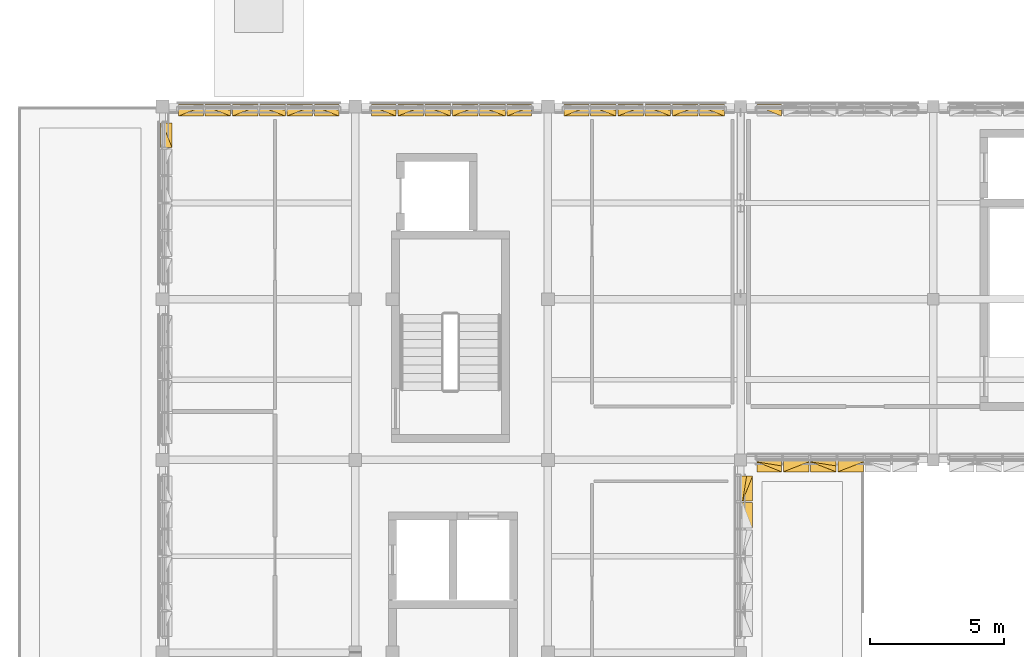
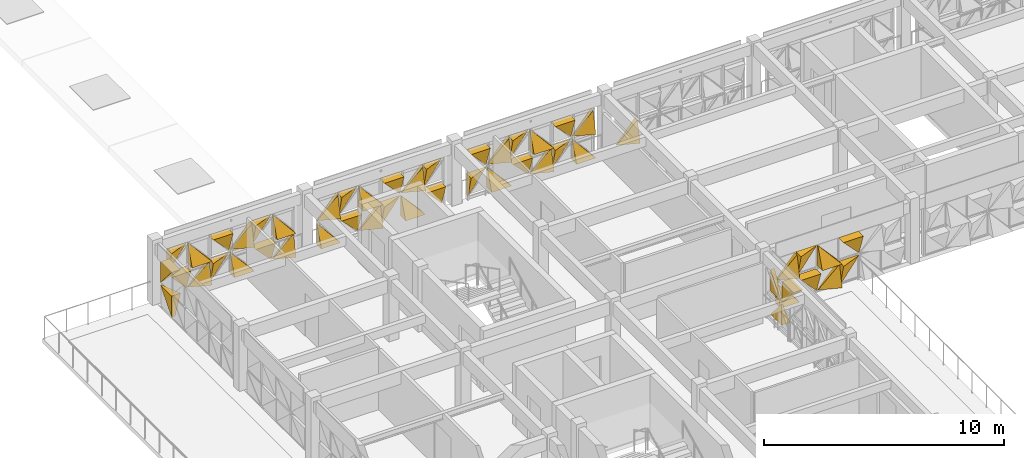
# One storey, part 33 of 35: 50 coverings.
"""IFC4 building model written with IfcOpenShell, lengths in metres."""

from ifc_helpers import new_model, si_unit, direction, frame, origin, place, context, subcontext, project, spatial, polygons, material, layer, layer_set, type_object, element, save


model = new_model("IFC4")

# Units and contexts
model_context = context("Model", 3, precision=1e-05, world=origin(), true_north=direction((0.0, 1.0)))
body_context = subcontext(model_context, "Body", "Model", "MODEL_VIEW")
ifc_project = project(units=[si_unit("LENGTHUNIT", "METRE"), si_unit("AREAUNIT", "SQUARE_METRE"), si_unit("VOLUMEUNIT", "CUBIC_METRE"), si_unit("PLANEANGLEUNIT", "RADIAN"), si_unit("MASSUNIT", "GRAM", prefix="KILO")], contexts=[model_context])

# Site, building, storey
site_placement = place(None, origin())
site = spatial("IfcSite", under=ifc_project, at=site_placement, CompositionType="ELEMENT")
building_placement = place(site_placement, origin())
building = spatial("IfcBuilding", under=site, at=building_placement, Name="Alvorim Cloister Faculty of Sciences", CompositionType="ELEMENT")
storey_placement = place(building_placement, frame((0.0, 0.0, 22.949951171875)))
storey = spatial("IfcBuildingStorey", under=building, at=storey_placement, Name="L06", CompositionType="ELEMENT", Elevation=22.949951171875)

# Coverings
ifc_material = material(Name="Perforated Bronze Alloy Sheet", Category="metal")
ifc_layer = layer(ifc_material, 0.0380859375)
ifc_layer_set = layer_set([ifc_layer], Name="Perforated Bronze Alloy Sheet")
covering_type = type_object("IfcCoveringType", Name="COV-TRI-BRZ", PredefinedType="CLADDING", material=ifc_layer_set)
covering_1_placement = place(storey_placement, frame((7.155029296875, 54.87255859375, 0.14013671875), z_axis=(0.0, 0.0, 1.0), x_axis=(0.0, 1.0, 0.0)))
element("IfcCovering", 1, at=covering_1_placement, inside=storey, type_object=covering_type, Name="Diagonal Solid Metal Triangle TRI-TL", PredefinedType="CLADDING", context=body_context, shape_type="Tessellation", body=[
    polygons([(0.920607421875, 0.0260009765625, 1.06494140625), (0.0, 0.0260009765625, 1.06494140625), (0.0, 0.0260009765625, 0.002), (0.920607421875, -0.03, 1.06494140625), (0.0, -0.4, 1.06494140625), (0.0, -0.13999999999999999, 0.002)], [[[1, 3, 2]], [[4, 5, 6]], [[1, 2, 5, 4]], [[2, 3, 6, 5]], [[3, 1, 4, 6]]], closed=True),
])
covering_2_placement = place(storey_placement, frame((7.155029296875, 54.87255859375, 1.344970703125), z_axis=(0.0, 0.0, 1.0), x_axis=(0.0, 1.0, 0.0)))
element("IfcCovering", 2, at=covering_2_placement, inside=storey, type_object=covering_type, Name="Diagonal Solid Metal Triangle TRI-TR", PredefinedType="CLADDING", context=body_context, shape_type="Tessellation", body=[
    polygons([(0.922607421875, 0.0260009765625, 0.002), (0.922607421875, 0.0260009765625, 1.065185546875), (0.002, 0.0260009765625, 1.065185546875), (0.922607421875, -0.03, 0.002), (0.922607421875, -0.4, 1.065185546875), (0.002, -0.4, 1.065185546875)], [[[1, 3, 2]], [[4, 5, 6]], [[1, 2, 5, 4]], [[2, 3, 6, 5]], [[3, 1, 4, 6]]], closed=True),
])
covering_3_placement = place(storey_placement, frame((7.804931640625, 56.445068359375, 0.14013671875), z_axis=(0.0, 0.0, 1.0), x_axis=(1.0, 0.0, 0.0)))
element("IfcCovering", 3, at=covering_3_placement, inside=storey, type_object=covering_type, Name="Diagonal Solid Metal Triangle TRI-TR", PredefinedType="CLADDING", context=body_context, shape_type="Tessellation", body=[
    polygons([(0.922607421875, 0.0260009765625, 0.002), (0.922607421875, 0.0260009765625, 1.06494140625), (0.002, 0.0260009765625, 1.06494140625), (0.922607421875, -0.03, 0.002), (0.922607421875, -0.4, 1.06494140625), (0.002, -0.4, 1.06494140625)], [[[1, 3, 2]], [[4, 5, 6]], [[1, 2, 5, 4]], [[2, 3, 6, 5]], [[3, 1, 4, 6]]], closed=True),
])
covering_4_placement = place(storey_placement, frame((7.804931640625, 56.445068359375, 1.344970703125), z_axis=(0.0, 0.0, 1.0), x_axis=(1.0, 0.0, 0.0)))
element("IfcCovering", 4, at=covering_4_placement, inside=storey, type_object=covering_type, Name="Diagonal Solid Metal Triangle TRI-TL", PredefinedType="CLADDING", context=body_context, shape_type="Tessellation", body=[
    polygons([(0.920607421875, 0.0260009765625, 1.065185546875), (0.0, 0.0260009765625, 1.065185546875), (0.0, 0.0260009765625, 0.002), (0.920607421875, -0.03, 1.065185546875), (0.0, -0.4, 1.065185546875), (0.0, -0.13999999999999999, 0.002)], [[[1, 3, 2]], [[4, 5, 6]], [[1, 2, 5, 4]], [[2, 3, 6, 5]], [[3, 1, 4, 6]]], closed=True),
])
covering_5_placement = place(storey_placement, frame((8.79248046875, 56.445068359375, 0.14013671875), z_axis=(0.0, 0.0, 1.0), x_axis=(1.0, 0.0, 0.0)))
element("IfcCovering", 5, at=covering_5_placement, inside=storey, type_object=covering_type, Name="Diagonal Solid Metal Triangle TRI-BR", PredefinedType="CLADDING", context=body_context, shape_type="Tessellation", body=[
    polygons([(0.002, 0.0260009765625, 0.0), (0.955078125, 0.0260009765625, 0.0), (0.955078125, 0.0260009765625, 1.06294140625), (0.002, -0.03, 0.0), (0.955078125, -0.4, 0.0), (0.955078125, -0.18000000000000002, 1.06294140625)], [[[1, 3, 2]], [[4, 5, 6]], [[1, 2, 5, 4]], [[2, 3, 6, 5]], [[3, 1, 4, 6]]], closed=True),
])
covering_6_placement = place(storey_placement, frame((8.79248046875, 56.445068359375, 1.344970703125), z_axis=(0.0, 0.0, 1.0), x_axis=(1.0, 0.0, 0.0)))
element("IfcCovering", 6, at=covering_6_placement, inside=storey, type_object=covering_type, Name="Diagonal Solid Metal Triangle TRI-BL", PredefinedType="CLADDING", context=body_context, shape_type="Tessellation", body=[
    polygons([(0.0, 0.0260009765625, 0.0), (0.953078125, 0.0260009765625, 0.0), (0.0, 0.0260009765625, 1.063185546875), (0.0, -0.4, 0.0), (0.953078125, -0.4, 0.0), (0.0, -0.03, 1.063185546875)], [[[1, 3, 2]], [[4, 5, 6]], [[1, 2, 5, 4]], [[2, 3, 6, 5]], [[3, 1, 4, 6]]], closed=True),
])
covering_7_placement = place(storey_placement, frame((9.8125, 56.445068359375, 0.14013671875), z_axis=(0.0, 0.0, 1.0), x_axis=(1.0, 0.0, 0.0)))
element("IfcCovering", 7, at=covering_7_placement, inside=storey, type_object=covering_type, Name="Diagonal Solid Metal Triangle TRI-TL", PredefinedType="CLADDING", context=body_context, shape_type="Tessellation", body=[
    polygons([(0.953078125, 0.0260009765625, 1.06494140625), (0.0, 0.0260009765625, 1.06494140625), (0.0, 0.0260009765625, 0.002), (0.953078125, -0.03, 1.06494140625), (0.0, -0.4, 1.06494140625), (0.0, -0.13999999999999999, 0.002)], [[[1, 3, 2]], [[4, 5, 6]], [[1, 2, 5, 4]], [[2, 3, 6, 5]], [[3, 1, 4, 6]]], closed=True),
])
covering_8_placement = place(storey_placement, frame((9.8125, 56.445068359375, 1.344970703125), z_axis=(0.0, 0.0, 1.0), x_axis=(1.0, 0.0, 0.0)))
element("IfcCovering", 8, at=covering_8_placement, inside=storey, type_object=covering_type, Name="Diagonal Solid Metal Triangle TRI-TR", PredefinedType="CLADDING", context=body_context, shape_type="Tessellation", body=[
    polygons([(0.955078125, 0.0260009765625, 0.002), (0.955078125, 0.0260009765625, 1.065185546875), (0.002, 0.0260009765625, 1.065185546875), (0.955078125, -0.03, 0.002), (0.955078125, -0.4, 1.065185546875), (0.002, -0.4, 1.065185546875)], [[[1, 3, 2]], [[4, 5, 6]], [[1, 2, 5, 4]], [[2, 3, 6, 5]], [[3, 1, 4, 6]]], closed=True),
])
covering_9_placement = place(storey_placement, frame((10.83251953125, 56.445068359375, 0.14013671875), z_axis=(0.0, 0.0, 1.0), x_axis=(1.0, 0.0, 0.0)))
element("IfcCovering", 9, at=covering_9_placement, inside=storey, type_object=covering_type, Name="Diagonal Solid Metal Triangle TRI-BL", PredefinedType="CLADDING", context=body_context, shape_type="Tessellation", body=[
    polygons([(0.0, 0.0260009765625, 0.0), (0.953078125, 0.0260009765625, 0.0), (0.0, 0.0260009765625, 1.06294140625), (0.0, -0.4, 0.0), (0.953078125, -0.4, 0.0), (0.0, -0.03, 1.06294140625)], [[[1, 3, 2]], [[4, 5, 6]], [[1, 2, 5, 4]], [[2, 3, 6, 5]], [[3, 1, 4, 6]]], closed=True),
])
covering_10_placement = place(storey_placement, frame((10.83251953125, 56.445068359375, 1.344970703125), z_axis=(0.0, 0.0, 1.0), x_axis=(1.0, 0.0, 0.0)))
element("IfcCovering", 10, at=covering_10_placement, inside=storey, type_object=covering_type, Name="Diagonal Solid Metal Triangle TRI-BR", PredefinedType="CLADDING", context=body_context, shape_type="Tessellation", body=[
    polygons([(0.002, 0.0260009765625, 0.0), (0.955078125, 0.0260009765625, 0.0), (0.955078125, 0.0260009765625, 1.063185546875), (0.002, -0.03, 0.0), (0.955078125, -0.4, 0.0), (0.955078125, -0.18000000000000002, 1.063185546875)], [[[1, 3, 2]], [[4, 5, 6]], [[1, 2, 5, 4]], [[2, 3, 6, 5]], [[3, 1, 4, 6]]], closed=True),
])
covering_11_placement = place(storey_placement, frame((11.8525390625, 56.445068359375, 0.14013671875), z_axis=(0.0, 0.0, 1.0), x_axis=(1.0, 0.0, 0.0)))
element("IfcCovering", 11, at=covering_11_placement, inside=storey, type_object=covering_type, Name="Diagonal Solid Metal Triangle TRI-TR", PredefinedType="CLADDING", context=body_context, shape_type="Tessellation", body=[
    polygons([(0.955078125, 0.0260009765625, 0.002), (0.955078125, 0.0260009765625, 1.06494140625), (0.002, 0.0260009765625, 1.06494140625), (0.955078125, -0.03, 0.002), (0.955078125, -0.4, 1.06494140625), (0.002, -0.4, 1.06494140625)], [[[1, 3, 2]], [[4, 5, 6]], [[1, 2, 5, 4]], [[2, 3, 6, 5]], [[3, 1, 4, 6]]], closed=True),
])
covering_12_placement = place(storey_placement, frame((11.8525390625, 56.445068359375, 1.344970703125), z_axis=(0.0, 0.0, 1.0), x_axis=(1.0, 0.0, 0.0)))
element("IfcCovering", 12, at=covering_12_placement, inside=storey, type_object=covering_type, Name="Diagonal Solid Metal Triangle TRI-TL", PredefinedType="CLADDING", context=body_context, shape_type="Tessellation", body=[
    polygons([(0.953078125, 0.0260009765625, 1.065185546875), (0.0, 0.0260009765625, 1.065185546875), (0.0, 0.0260009765625, 0.002), (0.953078125, -0.03, 1.065185546875), (0.0, -0.4, 1.065185546875), (0.0, -0.13999999999999999, 0.002)], [[[1, 3, 2]], [[4, 5, 6]], [[1, 2, 5, 4]], [[2, 3, 6, 5]], [[3, 1, 4, 6]]], closed=True),
])
covering_13_placement = place(storey_placement, frame((12.87255859375, 56.445068359375, 0.14013671875), z_axis=(0.0, 0.0, 1.0), x_axis=(1.0, 0.0, 0.0)))
element("IfcCovering", 13, at=covering_13_placement, inside=storey, type_object=covering_type, Name="Diagonal Solid Metal Triangle TRI-BR", PredefinedType="CLADDING", context=body_context, shape_type="Tessellation", body=[
    polygons([(0.002, 0.0260009765625, 0.0), (0.922607421875, 0.0260009765625, 0.0), (0.922607421875, 0.0260009765625, 1.06294140625), (0.002, -0.03, 0.0), (0.922607421875, -0.4, 0.0), (0.922607421875, -0.18000000000000002, 1.06294140625)], [[[1, 3, 2]], [[4, 5, 6]], [[1, 2, 5, 4]], [[2, 3, 6, 5]], [[3, 1, 4, 6]]], closed=True),
])
covering_14_placement = place(storey_placement, frame((12.87255859375, 56.445068359375, 1.344970703125), z_axis=(0.0, 0.0, 1.0), x_axis=(1.0, 0.0, 0.0)))
element("IfcCovering", 14, at=covering_14_placement, inside=storey, type_object=covering_type, Name="Diagonal Solid Metal Triangle TRI-BL", PredefinedType="CLADDING", context=body_context, shape_type="Tessellation", body=[
    polygons([(0.0, 0.0260009765625, 0.0), (0.920607421875, 0.0260009765625, 0.0), (0.0, 0.0260009765625, 1.063185546875), (0.0, -0.4, 0.0), (0.920607421875, -0.4, 0.0), (0.0, -0.03, 1.063185546875)], [[[1, 3, 2]], [[4, 5, 6]], [[1, 2, 5, 4]], [[2, 3, 6, 5]], [[3, 1, 4, 6]]], closed=True),
])
covering_15_placement = place(storey_placement, frame((15.0048828125, 56.445068359375, 0.14013671875), z_axis=(0.0, 0.0, 1.0), x_axis=(1.0, 0.0, 0.0)))
element("IfcCovering", 15, at=covering_15_placement, inside=storey, type_object=covering_type, Name="Diagonal Solid Metal Triangle TRI-BL", PredefinedType="CLADDING", context=body_context, shape_type="Tessellation", body=[
    polygons([(0.0, 0.0260009765625, 0.0), (0.920607421875, 0.0260009765625, 0.0), (0.0, 0.0260009765625, 1.06294140625), (0.0, -0.4, 0.0), (0.920607421875, -0.4, 0.0), (0.0, -0.03, 1.06294140625)], [[[1, 3, 2]], [[4, 5, 6]], [[1, 2, 5, 4]], [[2, 3, 6, 5]], [[3, 1, 4, 6]]], closed=True),
])
covering_16_placement = place(storey_placement, frame((15.0048828125, 56.445068359375, 1.344970703125), z_axis=(0.0, 0.0, 1.0), x_axis=(1.0, 0.0, 0.0)))
element("IfcCovering", 16, at=covering_16_placement, inside=storey, type_object=covering_type, Name="Diagonal Solid Metal Triangle TRI-BR", PredefinedType="CLADDING", context=body_context, shape_type="Tessellation", body=[
    polygons([(0.002, 0.0260009765625, 0.0), (0.922607421875, 0.0260009765625, 0.0), (0.922607421875, 0.0260009765625, 1.063185546875), (0.002, -0.03, 0.0), (0.922607421875, -0.4, 0.0), (0.922607421875, -0.18000000000000002, 1.063185546875)], [[[1, 3, 2]], [[4, 5, 6]], [[1, 2, 5, 4]], [[2, 3, 6, 5]], [[3, 1, 4, 6]]], closed=True),
])
covering_17_placement = place(storey_placement, frame((15.992431640625, 56.445068359375, 0.14013671875), z_axis=(0.0, 0.0, 1.0), x_axis=(1.0, 0.0, 0.0)))
element("IfcCovering", 17, at=covering_17_placement, inside=storey, type_object=covering_type, Name="Diagonal Solid Metal Triangle TRI-TR", PredefinedType="CLADDING", context=body_context, shape_type="Tessellation", body=[
    polygons([(0.955078125, 0.0260009765625, 0.002), (0.955078125, 0.0260009765625, 1.06494140625), (0.002, 0.0260009765625, 1.06494140625), (0.955078125, -0.03, 0.002), (0.955078125, -0.4, 1.06494140625), (0.002, -0.4, 1.06494140625)], [[[1, 3, 2]], [[4, 5, 6]], [[1, 2, 5, 4]], [[2, 3, 6, 5]], [[3, 1, 4, 6]]], closed=True),
])
covering_18_placement = place(storey_placement, frame((15.992431640625, 56.445068359375, 1.344970703125), z_axis=(0.0, 0.0, 1.0), x_axis=(1.0, 0.0, 0.0)))
element("IfcCovering", 18, at=covering_18_placement, inside=storey, type_object=covering_type, Name="Diagonal Solid Metal Triangle TRI-TL", PredefinedType="CLADDING", context=body_context, shape_type="Tessellation", body=[
    polygons([(0.953078125, 0.0260009765625, 1.065185546875), (0.0, 0.0260009765625, 1.065185546875), (0.0, 0.0260009765625, 0.002), (0.953078125, -0.03, 1.065185546875), (0.0, -0.4, 1.065185546875), (0.0, -0.13999999999999999, 0.002)], [[[1, 3, 2]], [[4, 5, 6]], [[1, 2, 5, 4]], [[2, 3, 6, 5]], [[3, 1, 4, 6]]], closed=True),
])
covering_19_placement = place(storey_placement, frame((17.012451171875, 56.445068359375, 0.14013671875), z_axis=(0.0, 0.0, 1.0), x_axis=(1.0, 0.0, 0.0)))
element("IfcCovering", 19, at=covering_19_placement, inside=storey, type_object=covering_type, Name="Diagonal Solid Metal Triangle TRI-BR", PredefinedType="CLADDING", context=body_context, shape_type="Tessellation", body=[
    polygons([(0.002, 0.0260009765625, 0.0), (0.955078125, 0.0260009765625, 0.0), (0.955078125, 0.0260009765625, 1.06294140625), (0.002, -0.03, 0.0), (0.955078125, -0.4, 0.0), (0.955078125, -0.18000000000000002, 1.06294140625)], [[[1, 3, 2]], [[4, 5, 6]], [[1, 2, 5, 4]], [[2, 3, 6, 5]], [[3, 1, 4, 6]]], closed=True),
])
covering_20_placement = place(storey_placement, frame((17.012451171875, 56.445068359375, 1.344970703125), z_axis=(0.0, 0.0, 1.0), x_axis=(1.0, 0.0, 0.0)))
element("IfcCovering", 20, at=covering_20_placement, inside=storey, type_object=covering_type, Name="Diagonal Solid Metal Triangle TRI-BL", PredefinedType="CLADDING", context=body_context, shape_type="Tessellation", body=[
    polygons([(0.0, 0.0260009765625, 0.0), (0.953078125, 0.0260009765625, 0.0), (0.0, 0.0260009765625, 1.063185546875), (0.0, -0.4, 0.0), (0.953078125, -0.4, 0.0), (0.0, -0.03, 1.063185546875)], [[[1, 3, 2]], [[4, 5, 6]], [[1, 2, 5, 4]], [[2, 3, 6, 5]], [[3, 1, 4, 6]]], closed=True),
])
covering_21_placement = place(storey_placement, frame((18.032470703125, 56.445068359375, 0.14013671875), z_axis=(0.0, 0.0, 1.0), x_axis=(1.0, 0.0, 0.0)))
element("IfcCovering", 21, at=covering_21_placement, inside=storey, type_object=covering_type, Name="Diagonal Solid Metal Triangle TRI-TL", PredefinedType="CLADDING", context=body_context, shape_type="Tessellation", body=[
    polygons([(0.953078125, 0.0260009765625, 1.06494140625), (0.0, 0.0260009765625, 1.06494140625), (0.0, 0.0260009765625, 0.002), (0.953078125, -0.03, 1.06494140625), (0.0, -0.4, 1.06494140625), (0.0, -0.13999999999999999, 0.002)], [[[1, 3, 2]], [[4, 5, 6]], [[1, 2, 5, 4]], [[2, 3, 6, 5]], [[3, 1, 4, 6]]], closed=True),
])
covering_22_placement = place(storey_placement, frame((18.032470703125, 56.445068359375, 1.344970703125), z_axis=(0.0, 0.0, 1.0), x_axis=(1.0, 0.0, 0.0)))
element("IfcCovering", 22, at=covering_22_placement, inside=storey, type_object=covering_type, Name="Diagonal Solid Metal Triangle TRI-TR", PredefinedType="CLADDING", context=body_context, shape_type="Tessellation", body=[
    polygons([(0.955078125, 0.0260009765625, 0.002), (0.955078125, 0.0260009765625, 1.065185546875), (0.002, 0.0260009765625, 1.065185546875), (0.955078125, -0.03, 0.002), (0.955078125, -0.4, 1.065185546875), (0.002, -0.4, 1.065185546875)], [[[1, 3, 2]], [[4, 5, 6]], [[1, 2, 5, 4]], [[2, 3, 6, 5]], [[3, 1, 4, 6]]], closed=True),
])
covering_23_placement = place(storey_placement, frame((19.052490234375, 56.445068359375, 0.14013671875), z_axis=(0.0, 0.0, 1.0), x_axis=(1.0, 0.0, 0.0)))
element("IfcCovering", 23, at=covering_23_placement, inside=storey, type_object=covering_type, Name="Diagonal Solid Metal Triangle TRI-BL", PredefinedType="CLADDING", context=body_context, shape_type="Tessellation", body=[
    polygons([(0.0, 0.0260009765625, 0.0), (0.953078125, 0.0260009765625, 0.0), (0.0, 0.0260009765625, 1.06294140625), (0.0, -0.4, 0.0), (0.953078125, -0.4, 0.0), (0.0, -0.03, 1.06294140625)], [[[1, 3, 2]], [[4, 5, 6]], [[1, 2, 5, 4]], [[2, 3, 6, 5]], [[3, 1, 4, 6]]], closed=True),
])
covering_24_placement = place(storey_placement, frame((19.052490234375, 56.445068359375, 1.344970703125), z_axis=(0.0, 0.0, 1.0), x_axis=(1.0, 0.0, 0.0)))
element("IfcCovering", 24, at=covering_24_placement, inside=storey, type_object=covering_type, Name="Diagonal Solid Metal Triangle TRI-BR", PredefinedType="CLADDING", context=body_context, shape_type="Tessellation", body=[
    polygons([(0.002, 0.0260009765625, 0.0), (0.955078125, 0.0260009765625, 0.0), (0.955078125, 0.0260009765625, 1.063185546875), (0.002, -0.03, 0.0), (0.955078125, -0.4, 0.0), (0.955078125, -0.18000000000000002, 1.063185546875)], [[[1, 3, 2]], [[4, 5, 6]], [[1, 2, 5, 4]], [[2, 3, 6, 5]], [[3, 1, 4, 6]]], closed=True),
])
covering_25_placement = place(storey_placement, frame((20.072509765625, 56.445068359375, 0.14013671875), z_axis=(0.0, 0.0, 1.0), x_axis=(1.0, 0.0, 0.0)))
element("IfcCovering", 25, at=covering_25_placement, inside=storey, type_object=covering_type, Name="Diagonal Solid Metal Triangle TRI-TR", PredefinedType="CLADDING", context=body_context, shape_type="Tessellation", body=[
    polygons([(0.922607421875, 0.0260009765625, 0.002), (0.922607421875, 0.0260009765625, 1.06494140625), (0.002, 0.0260009765625, 1.06494140625), (0.922607421875, -0.03, 0.002), (0.922607421875, -0.4, 1.06494140625), (0.002, -0.4, 1.06494140625)], [[[1, 3, 2]], [[4, 5, 6]], [[1, 2, 5, 4]], [[2, 3, 6, 5]], [[3, 1, 4, 6]]], closed=True),
])
covering_26_placement = place(storey_placement, frame((20.072509765625, 56.445068359375, 1.344970703125), z_axis=(0.0, 0.0, 1.0), x_axis=(1.0, 0.0, 0.0)))
element("IfcCovering", 26, at=covering_26_placement, inside=storey, type_object=covering_type, Name="Diagonal Solid Metal Triangle TRI-TL", PredefinedType="CLADDING", context=body_context, shape_type="Tessellation", body=[
    polygons([(0.920607421875, 0.0260009765625, 1.065185546875), (0.0, 0.0260009765625, 1.065185546875), (0.0, 0.0260009765625, 0.002), (0.920607421875, -0.03, 1.065185546875), (0.0, -0.4, 1.065185546875), (0.0, -0.13999999999999999, 0.002)], [[[1, 3, 2]], [[4, 5, 6]], [[1, 2, 5, 4]], [[2, 3, 6, 5]], [[3, 1, 4, 6]]], closed=True),
])
covering_27_placement = place(storey_placement, frame((22.205078125, 56.445068359375, 0.14013671875), z_axis=(0.0, 0.0, 1.0), x_axis=(1.0, 0.0, 0.0)))
element("IfcCovering", 27, at=covering_27_placement, inside=storey, type_object=covering_type, Name="Diagonal Solid Metal Triangle TRI-TL", PredefinedType="CLADDING", context=body_context, shape_type="Tessellation", body=[
    polygons([(0.920607421875, 0.0260009765625, 1.06494140625), (0.0, 0.0260009765625, 1.06494140625), (0.0, 0.0260009765625, 0.002), (0.920607421875, -0.03, 1.06494140625), (0.0, -0.4, 1.06494140625), (0.0, -0.13999999999999999, 0.002)], [[[1, 3, 2]], [[4, 5, 6]], [[1, 2, 5, 4]], [[2, 3, 6, 5]], [[3, 1, 4, 6]]], closed=True),
])
covering_28_placement = place(storey_placement, frame((22.205078125, 56.445068359375, 1.344970703125), z_axis=(0.0, 0.0, 1.0), x_axis=(1.0, 0.0, 0.0)))
element("IfcCovering", 28, at=covering_28_placement, inside=storey, type_object=covering_type, Name="Diagonal Solid Metal Triangle TRI-TR", PredefinedType="CLADDING", context=body_context, shape_type="Tessellation", body=[
    polygons([(0.922607421875, 0.0260009765625, 0.002), (0.922607421875, 0.0260009765625, 1.065185546875), (0.002, 0.0260009765625, 1.065185546875), (0.922607421875, -0.03, 0.002), (0.922607421875, -0.4, 1.065185546875), (0.002, -0.4, 1.065185546875)], [[[1, 3, 2]], [[4, 5, 6]], [[1, 2, 5, 4]], [[2, 3, 6, 5]], [[3, 1, 4, 6]]], closed=True),
])
covering_29_placement = place(storey_placement, frame((23.1923828125, 56.445068359375, 0.14013671875), z_axis=(0.0, 0.0, 1.0), x_axis=(1.0, 0.0, 0.0)))
element("IfcCovering", 29, at=covering_29_placement, inside=storey, type_object=covering_type, Name="Diagonal Solid Metal Triangle TRI-BL", PredefinedType="CLADDING", context=body_context, shape_type="Tessellation", body=[
    polygons([(0.0, 0.0260009765625, 0.0), (0.953078125, 0.0260009765625, 0.0), (0.0, 0.0260009765625, 1.06294140625), (0.0, -0.4, 0.0), (0.953078125, -0.4, 0.0), (0.0, -0.03, 1.06294140625)], [[[1, 3, 2]], [[4, 5, 6]], [[1, 2, 5, 4]], [[2, 3, 6, 5]], [[3, 1, 4, 6]]], closed=True),
])
covering_30_placement = place(storey_placement, frame((23.1923828125, 56.445068359375, 1.344970703125), z_axis=(0.0, 0.0, 1.0), x_axis=(1.0, 0.0, 0.0)))
element("IfcCovering", 30, at=covering_30_placement, inside=storey, type_object=covering_type, Name="Diagonal Solid Metal Triangle TRI-BR", PredefinedType="CLADDING", context=body_context, shape_type="Tessellation", body=[
    polygons([(0.002, 0.0260009765625, 0.0), (0.955078125, 0.0260009765625, 0.0), (0.955078125, 0.0260009765625, 1.063185546875), (0.002, -0.03, 0.0), (0.955078125, -0.4, 0.0), (0.955078125, -0.18000000000000002, 1.063185546875)], [[[1, 3, 2]], [[4, 5, 6]], [[1, 2, 5, 4]], [[2, 3, 6, 5]], [[3, 1, 4, 6]]], closed=True),
])
covering_31_placement = place(storey_placement, frame((24.21240234375, 56.445068359375, 0.14013671875), z_axis=(0.0, 0.0, 1.0), x_axis=(1.0, 0.0, 0.0)))
element("IfcCovering", 31, at=covering_31_placement, inside=storey, type_object=covering_type, Name="Diagonal Solid Metal Triangle TRI-TR", PredefinedType="CLADDING", context=body_context, shape_type="Tessellation", body=[
    polygons([(0.955078125, 0.0260009765625, 0.002), (0.955078125, 0.0260009765625, 1.06494140625), (0.002, 0.0260009765625, 1.06494140625), (0.955078125, -0.03, 0.002), (0.955078125, -0.4, 1.06494140625), (0.002, -0.4, 1.06494140625)], [[[1, 3, 2]], [[4, 5, 6]], [[1, 2, 5, 4]], [[2, 3, 6, 5]], [[3, 1, 4, 6]]], closed=True),
])
covering_32_placement = place(storey_placement, frame((24.21240234375, 56.445068359375, 1.344970703125), z_axis=(0.0, 0.0, 1.0), x_axis=(1.0, 0.0, 0.0)))
element("IfcCovering", 32, at=covering_32_placement, inside=storey, type_object=covering_type, Name="Diagonal Solid Metal Triangle TRI-TL", PredefinedType="CLADDING", context=body_context, shape_type="Tessellation", body=[
    polygons([(0.953078125, 0.0260009765625, 1.065185546875), (0.0, 0.0260009765625, 1.065185546875), (0.0, 0.0260009765625, 0.002), (0.953078125, -0.03, 1.065185546875), (0.0, -0.4, 1.065185546875), (0.0, -0.13999999999999999, 0.002)], [[[1, 3, 2]], [[4, 5, 6]], [[1, 2, 5, 4]], [[2, 3, 6, 5]], [[3, 1, 4, 6]]], closed=True),
])
covering_33_placement = place(storey_placement, frame((25.232421875, 56.445068359375, 0.14013671875), z_axis=(0.0, 0.0, 1.0), x_axis=(1.0, 0.0, 0.0)))
element("IfcCovering", 33, at=covering_33_placement, inside=storey, type_object=covering_type, Name="Diagonal Solid Metal Triangle TRI-BR", PredefinedType="CLADDING", context=body_context, shape_type="Tessellation", body=[
    polygons([(0.002, 0.0260009765625, 0.0), (0.955078125, 0.0260009765625, 0.0), (0.955078125, 0.0260009765625, 1.06294140625), (0.002, -0.03, 0.0), (0.955078125, -0.4, 0.0), (0.955078125, -0.18000000000000002, 1.06294140625)], [[[1, 3, 2]], [[4, 5, 6]], [[1, 2, 5, 4]], [[2, 3, 6, 5]], [[3, 1, 4, 6]]], closed=True),
])
covering_34_placement = place(storey_placement, frame((25.232421875, 56.445068359375, 1.344970703125), z_axis=(0.0, 0.0, 1.0), x_axis=(1.0, 0.0, 0.0)))
element("IfcCovering", 34, at=covering_34_placement, inside=storey, type_object=covering_type, Name="Diagonal Solid Metal Triangle TRI-BL", PredefinedType="CLADDING", context=body_context, shape_type="Tessellation", body=[
    polygons([(0.0, 0.0260009765625, 0.0), (0.953078125, 0.0260009765625, 0.0), (0.0, 0.0260009765625, 1.063185546875), (0.0, -0.4, 0.0), (0.953078125, -0.4, 0.0), (0.0, -0.03, 1.063185546875)], [[[1, 3, 2]], [[4, 5, 6]], [[1, 2, 5, 4]], [[2, 3, 6, 5]], [[3, 1, 4, 6]]], closed=True),
])
covering_35_placement = place(storey_placement, frame((26.25244140625, 56.445068359375, 0.14013671875), z_axis=(0.0, 0.0, 1.0), x_axis=(1.0, 0.0, 0.0)))
element("IfcCovering", 35, at=covering_35_placement, inside=storey, type_object=covering_type, Name="Diagonal Solid Metal Triangle TRI-TL", PredefinedType="CLADDING", context=body_context, shape_type="Tessellation", body=[
    polygons([(0.953078125, 0.0260009765625, 1.06494140625), (0.0, 0.0260009765625, 1.06494140625), (0.0, 0.0260009765625, 0.002), (0.953078125, -0.03, 1.06494140625), (0.0, -0.4, 1.06494140625), (0.0, -0.13999999999999999, 0.002)], [[[1, 3, 2]], [[4, 5, 6]], [[1, 2, 5, 4]], [[2, 3, 6, 5]], [[3, 1, 4, 6]]], closed=True),
])
covering_36_placement = place(storey_placement, frame((26.25244140625, 56.445068359375, 1.344970703125), z_axis=(0.0, 0.0, 1.0), x_axis=(1.0, 0.0, 0.0)))
element("IfcCovering", 36, at=covering_36_placement, inside=storey, type_object=covering_type, Name="Diagonal Solid Metal Triangle TRI-TR", PredefinedType="CLADDING", context=body_context, shape_type="Tessellation", body=[
    polygons([(0.955078125, 0.0260009765625, 0.002), (0.955078125, 0.0260009765625, 1.065185546875), (0.002, 0.0260009765625, 1.065185546875), (0.955078125, -0.03, 0.002), (0.955078125, -0.4, 1.065185546875), (0.002, -0.4, 1.065185546875)], [[[1, 3, 2]], [[4, 5, 6]], [[1, 2, 5, 4]], [[2, 3, 6, 5]], [[3, 1, 4, 6]]], closed=True),
])
covering_37_placement = place(storey_placement, frame((27.2724609375, 56.445068359375, 0.14013671875), z_axis=(0.0, 0.0, 1.0), x_axis=(1.0, 0.0, 0.0)))
element("IfcCovering", 37, at=covering_37_placement, inside=storey, type_object=covering_type, Name="Diagonal Solid Metal Triangle TRI-BL", PredefinedType="CLADDING", context=body_context, shape_type="Tessellation", body=[
    polygons([(0.0, 0.0260009765625, 0.0), (0.920607421875, 0.0260009765625, 0.0), (0.0, 0.0260009765625, 1.06294140625), (0.0, -0.4, 0.0), (0.920607421875, -0.4, 0.0), (0.0, -0.03, 1.06294140625)], [[[1, 3, 2]], [[4, 5, 6]], [[1, 2, 5, 4]], [[2, 3, 6, 5]], [[3, 1, 4, 6]]], closed=True),
])
covering_38_placement = place(storey_placement, frame((27.2724609375, 56.445068359375, 1.344970703125), z_axis=(0.0, 0.0, 1.0), x_axis=(1.0, 0.0, 0.0)))
element("IfcCovering", 38, at=covering_38_placement, inside=storey, type_object=covering_type, Name="Diagonal Solid Metal Triangle TRI-BR", PredefinedType="CLADDING", context=body_context, shape_type="Tessellation", body=[
    polygons([(0.002, 0.0260009765625, 0.0), (0.922607421875, 0.0260009765625, 0.0), (0.922607421875, 0.0260009765625, 1.063185546875), (0.002, -0.03, 0.0), (0.922607421875, -0.4, 0.0), (0.922607421875, -0.18000000000000002, 1.063185546875)], [[[1, 3, 2]], [[4, 5, 6]], [[1, 2, 5, 4]], [[2, 3, 6, 5]], [[3, 1, 4, 6]]], closed=True),
])
covering_39_placement = place(storey_placement, frame((29.405029296875, 56.445068359375, 0.14013671875), z_axis=(0.0, 0.0, 1.0), x_axis=(1.0, 0.0, 0.0)))
element("IfcCovering", 39, at=covering_39_placement, inside=storey, type_object=covering_type, Name="Diagonal Solid Metal Triangle TRI-BR", PredefinedType="CLADDING", context=body_context, shape_type="Tessellation", body=[
    polygons([(0.002, 0.0260009765625, 0.0), (0.922607421875, 0.0260009765625, 0.0), (0.922607421875, 0.0260009765625, 1.06294140625), (0.002, -0.03, 0.0), (0.922607421875, -0.4, 0.0), (0.922607421875, -0.18000000000000002, 1.06294140625)], [[[1, 3, 2]], [[4, 5, 6]], [[1, 2, 5, 4]], [[2, 3, 6, 5]], [[3, 1, 4, 6]]], closed=True),
])
covering_40_placement = place(storey_placement, frame((29.405029296875, 43.155029296875, 0.14013671875), z_axis=(0.0, 0.0, 1.0), x_axis=(1.0, 0.0, 0.0)))
element("IfcCovering", 40, at=covering_40_placement, inside=storey, type_object=covering_type, Name="Diagonal Solid Metal Triangle TRI-BL", PredefinedType="CLADDING", context=body_context, shape_type="Tessellation", body=[
    polygons([(0.0, 0.0260009765625, 0.0), (0.920607421875, 0.0260009765625, 0.0), (0.0, 0.0260009765625, 1.06294140625), (0.0, -0.4, 0.0), (0.920607421875, -0.4, 0.0), (0.0, -0.03, 1.06294140625)], [[[1, 3, 2]], [[4, 5, 6]], [[1, 2, 5, 4]], [[2, 3, 6, 5]], [[3, 1, 4, 6]]], closed=True),
])
covering_41_placement = place(storey_placement, frame((29.405029296875, 43.155029296875, 1.344970703125), z_axis=(0.0, 0.0, 1.0), x_axis=(1.0, 0.0, 0.0)))
element("IfcCovering", 41, at=covering_41_placement, inside=storey, type_object=covering_type, Name="Diagonal Solid Metal Triangle TRI-BR", PredefinedType="CLADDING", context=body_context, shape_type="Tessellation", body=[
    polygons([(0.002, 0.0260009765625, 0.0), (0.922607421875, 0.0260009765625, 0.0), (0.922607421875, 0.0260009765625, 1.063185546875), (0.002, -0.03, 0.0), (0.922607421875, -0.4, 0.0), (0.922607421875, -0.18000000000000002, 1.063185546875)], [[[1, 3, 2]], [[4, 5, 6]], [[1, 2, 5, 4]], [[2, 3, 6, 5]], [[3, 1, 4, 6]]], closed=True),
])
covering_42_placement = place(storey_placement, frame((30.392578125, 43.155029296875, 0.14013671875), z_axis=(0.0, 0.0, 1.0), x_axis=(1.0, 0.0, 0.0)))
element("IfcCovering", 42, at=covering_42_placement, inside=storey, type_object=covering_type, Name="Diagonal Solid Metal Triangle TRI-TR", PredefinedType="CLADDING", context=body_context, shape_type="Tessellation", body=[
    polygons([(0.955078125, 0.0260009765625, 0.002), (0.955078125, 0.0260009765625, 1.06494140625), (0.002, 0.0260009765625, 1.06494140625), (0.955078125, -0.03, 0.002), (0.955078125, -0.4, 1.06494140625), (0.002, -0.4, 1.06494140625)], [[[1, 3, 2]], [[4, 5, 6]], [[1, 2, 5, 4]], [[2, 3, 6, 5]], [[3, 1, 4, 6]]], closed=True),
])
covering_43_placement = place(storey_placement, frame((30.392578125, 43.155029296875, 1.344970703125), z_axis=(0.0, 0.0, 1.0), x_axis=(1.0, 0.0, 0.0)))
element("IfcCovering", 43, at=covering_43_placement, inside=storey, type_object=covering_type, Name="Diagonal Solid Metal Triangle TRI-TL", PredefinedType="CLADDING", context=body_context, shape_type="Tessellation", body=[
    polygons([(0.953078125, 0.0260009765625, 1.065185546875), (0.0, 0.0260009765625, 1.065185546875), (0.0, 0.0260009765625, 0.002), (0.953078125, -0.03, 1.065185546875), (0.0, -0.4, 1.065185546875), (0.0, -0.13999999999999999, 0.002)], [[[1, 3, 2]], [[4, 5, 6]], [[1, 2, 5, 4]], [[2, 3, 6, 5]], [[3, 1, 4, 6]]], closed=True),
])
covering_44_placement = place(storey_placement, frame((31.41259765625, 43.155029296875, 0.14013671875), z_axis=(0.0, 0.0, 1.0), x_axis=(1.0, 0.0, 0.0)))
element("IfcCovering", 44, at=covering_44_placement, inside=storey, type_object=covering_type, Name="Diagonal Solid Metal Triangle TRI-BR", PredefinedType="CLADDING", context=body_context, shape_type="Tessellation", body=[
    polygons([(0.002, 0.0260009765625, 0.0), (0.955078125, 0.0260009765625, 0.0), (0.955078125, 0.0260009765625, 1.06294140625), (0.002, -0.03, 0.0), (0.955078125, -0.4, 0.0), (0.955078125, -0.18000000000000002, 1.06294140625)], [[[1, 3, 2]], [[4, 5, 6]], [[1, 2, 5, 4]], [[2, 3, 6, 5]], [[3, 1, 4, 6]]], closed=True),
])
covering_45_placement = place(storey_placement, frame((31.41259765625, 43.155029296875, 1.344970703125), z_axis=(0.0, 0.0, 1.0), x_axis=(1.0, 0.0, 0.0)))
element("IfcCovering", 45, at=covering_45_placement, inside=storey, type_object=covering_type, Name="Diagonal Solid Metal Triangle TRI-BL", PredefinedType="CLADDING", context=body_context, shape_type="Tessellation", body=[
    polygons([(0.0, 0.0260009765625, 0.0), (0.953078125, 0.0260009765625, 0.0), (0.0, 0.0260009765625, 1.063185546875), (0.0, -0.4, 0.0), (0.953078125, -0.4, 0.0), (0.0, -0.03, 1.063185546875)], [[[1, 3, 2]], [[4, 5, 6]], [[1, 2, 5, 4]], [[2, 3, 6, 5]], [[3, 1, 4, 6]]], closed=True),
])
covering_46_placement = place(storey_placement, frame((32.4326171875, 43.155029296875, 0.14013671875), z_axis=(0.0, 0.0, 1.0), x_axis=(1.0, 0.0, 0.0)))
element("IfcCovering", 46, at=covering_46_placement, inside=storey, type_object=covering_type, Name="Diagonal Solid Metal Triangle TRI-TL", PredefinedType="CLADDING", context=body_context, shape_type="Tessellation", body=[
    polygons([(0.953078125, 0.0260009765625, 1.06494140625), (0.0, 0.0260009765625, 1.06494140625), (0.0, 0.0260009765625, 0.002), (0.953078125, -0.03, 1.06494140625), (0.0, -0.4, 1.06494140625), (0.0, -0.13999999999999999, 0.002)], [[[1, 3, 2]], [[4, 5, 6]], [[1, 2, 5, 4]], [[2, 3, 6, 5]], [[3, 1, 4, 6]]], closed=True),
])
for number, where, z_axis, x_axis, name in (
    (47, (32.4326171875, 43.155029296875, 1.344970703125), (0.0, 0.0, 1.0), (1.0, 0.0, 0.0), "Diagonal Solid Metal Triangle TRI-TR"),
    (48, (28.844970703125, 40.652587890625, 1.344970703125), (0.0, 0.0, 1.0), (0.0, 1.0, 0.0), "Diagonal Solid Metal Triangle TRI-TR"),
):
    element("IfcCovering", number, at=place(storey_placement, frame(where, z_axis=z_axis, x_axis=x_axis)), inside=storey, type_object=covering_type, Name=name, PredefinedType="CLADDING", context=body_context, shape_type="Tessellation", body=[
        polygons([(0.955078125, 0.0260009765625, 0.002), (0.955078125, 0.0260009765625, 1.065185546875), (0.002, 0.0260009765625, 1.065185546875), (0.955078125, -0.03, 0.002), (0.955078125, -0.4, 1.065185546875), (0.002, -0.4, 1.065185546875)], [[[1, 3, 2]], [[4, 5, 6]], [[1, 2, 5, 4]], [[2, 3, 6, 5]], [[3, 1, 4, 6]]], closed=True),
    ])
covering_47_placement = place(storey_placement, frame((28.844970703125, 41.672607421875, 0.14013671875), z_axis=(0.0, 0.0, 1.0), x_axis=(0.0, 1.0, 0.0)))
element("IfcCovering", 49, at=covering_47_placement, inside=storey, type_object=covering_type, Name="Diagonal Solid Metal Triangle TRI-BL", PredefinedType="CLADDING", context=body_context, shape_type="Tessellation", body=[
    polygons([(0.0, 0.0260009765625, 0.0), (0.920607421875, 0.0260009765625, 0.0), (0.0, 0.0260009765625, 1.06294140625), (0.0, -0.4, 0.0), (0.920607421875, -0.4, 0.0), (0.0, -0.03, 1.06294140625)], [[[1, 3, 2]], [[4, 5, 6]], [[1, 2, 5, 4]], [[2, 3, 6, 5]], [[3, 1, 4, 6]]], closed=True),
])
covering_48_placement = place(storey_placement, frame((28.844970703125, 41.672607421875, 1.344970703125), z_axis=(0.0, 0.0, 1.0), x_axis=(0.0, 1.0, 0.0)))
element("IfcCovering", 50, at=covering_48_placement, inside=storey, type_object=covering_type, Name="Diagonal Solid Metal Triangle TRI-BR", PredefinedType="CLADDING", context=body_context, shape_type="Tessellation", body=[
    polygons([(0.002, 0.0260009765625, 0.0), (0.922607421875, 0.0260009765625, 0.0), (0.922607421875, 0.0260009765625, 1.063185546875), (0.002, -0.03, 0.0), (0.922607421875, -0.4, 0.0), (0.922607421875, -0.18000000000000002, 1.063185546875)], [[[1, 3, 2]], [[4, 5, 6]], [[1, 2, 5, 4]], [[2, 3, 6, 5]], [[3, 1, 4, 6]]], closed=True),
])

save(model, "model.ifc")
